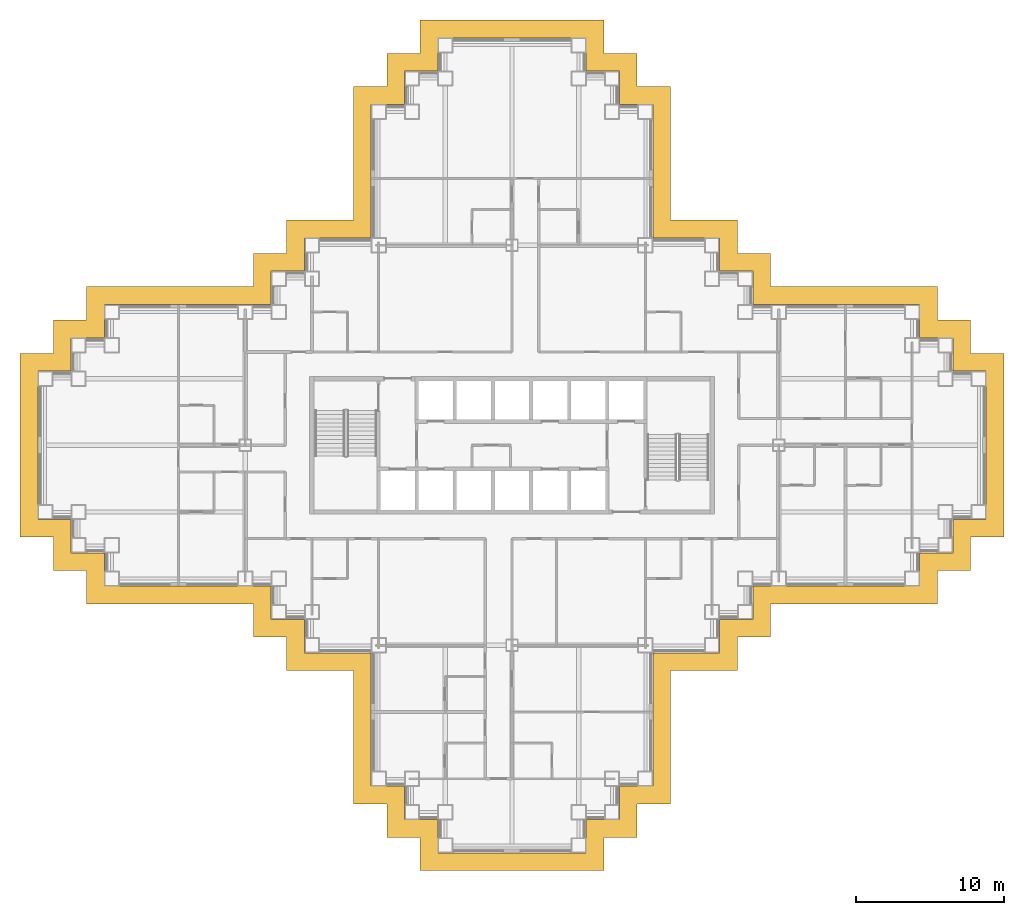
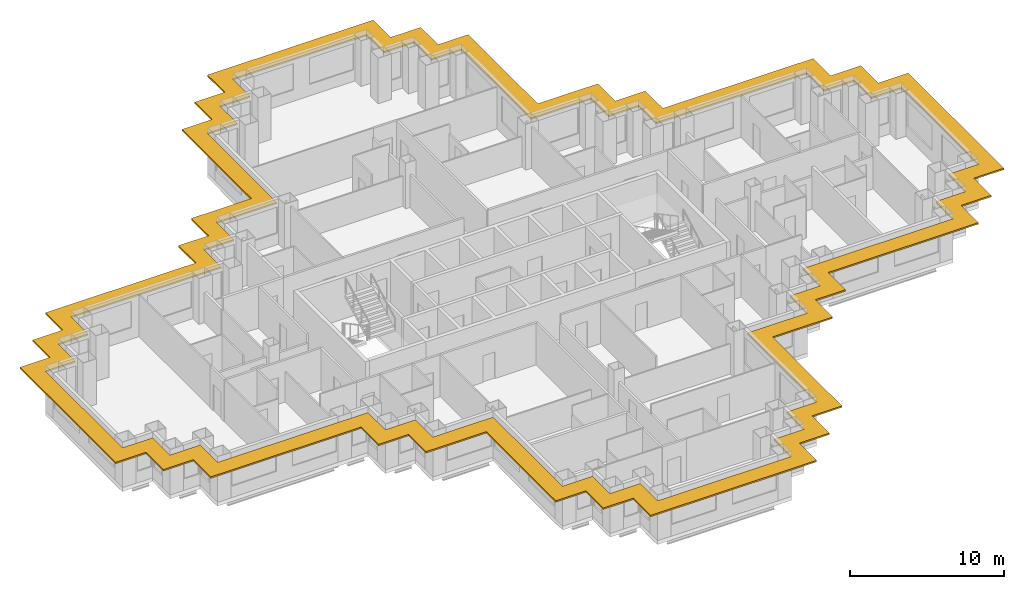
# One storey, part 13 of 14: 1 shading device.
"""IFC4 building model written with IfcOpenShell, lengths in metres."""

from ifc_helpers import new_model, si_unit, direction, frame, origin, place, context, subcontext, project, spatial, polyline, outline, extrude, material, layer, layer_set, type_object, element, save


model = new_model("IFC4")

# Units and contexts
model_context = context("Model", 3, precision=1e-05, world=origin(), true_north=direction((0.0, 1.0)))
body_context = subcontext(model_context, "Body", "Model", "MODEL_VIEW")
ifc_project = project(units=[si_unit("LENGTHUNIT", "METRE"), si_unit("AREAUNIT", "SQUARE_METRE"), si_unit("VOLUMEUNIT", "CUBIC_METRE"), si_unit("PLANEANGLEUNIT", "RADIAN"), si_unit("MASSUNIT", "GRAM", prefix="KILO")], contexts=[model_context])

# Site, building, storey
site_placement = place(None, origin())
site = spatial("IfcSite", under=ifc_project, at=site_placement, CompositionType="ELEMENT")
building_placement = place(site_placement, origin())
building = spatial("IfcBuilding", under=site, at=building_placement, Name="Caravel Reach Hotel and Residences", CompositionType="ELEMENT")
storey_placement = place(building_placement, frame((0.0, 0.0, 56.39990234375)))
storey = spatial("IfcBuildingStorey", under=building, at=storey_placement, Name="L12", CompositionType="ELEMENT", Elevation=56.39990234375)

# Shading device
ifc_material = material(Name="Black powder-coated aluminium", Category="aluminium")
ifc_layer = layer(ifc_material, 0.1201171875)
ifc_layer_set = layer_set([ifc_layer], Name="SS1 Sunshade band 1200")
shading_device_type = type_object("IfcShadingDeviceType", Name="SS1 Sunshade band 1200", PredefinedType="USERDEFINED", material=ifc_layer_set)
shading_device_placement = place(storey_placement, frame((0.0, 0.0, 3.0400390625)))
element("IfcShadingDevice", 1, at=shading_device_placement, inside=storey, type_object=shading_device_type, Name="Sunshade L12 1", ObjectType="SUNSHADE", PredefinedType="USERDEFINED", context=body_context, shape_type="SweptSolid", body=[
    extrude(outline(polyline([(20.800048828125, 11.800048828125), (20.800048828125, 2.800048828125), (23.050048828125, 2.800048828125), (23.050048828125, 0.550048828125), (25.300048828125, 0.550048828125), (25.300048828125, -1.699951171875), (37.699951171875, -1.699951171875), (37.699951171875, 0.550048828125), (39.949951171875, 0.550048828125), (39.949951171875, 2.800048828125), (42.199951171875, 2.800048828125), (42.199951171875, 11.800048828125), (46.699951171875, 11.800048828125), (46.699951171875, 14.050048828125), (48.949951171875, 14.050048828125), (48.949951171875, 16.300048828125), (60.199951171875, 16.300048828125), (60.199951171875, 18.550048828125), (62.449951171875, 18.550048828125), (62.449951171875, 20.800048828125), (64.699951171875, 20.800048828125), (64.699951171875, 33.199951171875), (62.449951171875, 33.199951171875), (62.449951171875, 35.449951171875), (60.199951171875, 35.449951171875), (60.199951171875, 37.699951171875), (48.949951171875, 37.699951171875), (48.949951171875, 39.949951171875), (46.699951171875, 39.949951171875), (46.699951171875, 42.199951171875), (42.199951171875, 42.199951171875), (42.199951171875, 51.199951171875), (39.949951171875, 51.199951171875), (39.949951171875, 53.449951171875), (37.699951171875, 53.449951171875), (37.699951171875, 55.699951171875), (25.300048828125, 55.699951171875), (25.300048828125, 53.449951171875), (23.050048828125, 53.449951171875), (23.050048828125, 51.199951171875), (20.800048828125, 51.199951171875), (20.800048828125, 42.199951171875), (16.300048828125, 42.199951171875), (16.300048828125, 39.949951171875), (14.050048828125, 39.949951171875), (14.050048828125, 37.699951171875), (2.800048828125, 37.699951171875), (2.800048828125, 35.449951171875), (0.550048828125, 35.449951171875), (0.550048828125, 33.199951171875), (-1.699951171875, 33.199951171875), (-1.699951171875, 20.800048828125), (0.550048828125, 20.800048828125), (0.550048828125, 18.550048828125), (2.800048828125, 18.550048828125), (2.800048828125, 16.300048828125), (14.050048828125, 16.300048828125), (14.050048828125, 14.050048828125), (16.300048828125, 14.050048828125), (16.300048828125, 11.800048828125), (20.800048828125, 11.800048828125)]), holes=[polyline([(24.25, 4.0), (22.0, 4.0), (22.0, 13.0), (17.5, 13.0), (17.5, 15.25), (15.25, 15.25), (15.25, 17.5), (4.0, 17.5), (4.0, 19.75), (1.75, 19.75), (1.75, 22.0), (-0.5, 22.0), (-0.5, 32.0), (1.75, 32.0), (1.75, 34.25), (4.0, 34.25), (4.0, 36.5), (15.25, 36.5), (15.25, 38.75), (17.5, 38.75), (17.5, 41.0), (22.0, 41.0), (22.0, 50.0), (24.25, 50.0), (24.25, 52.25), (26.5, 52.25), (26.5, 54.5), (36.5, 54.5), (36.5, 52.25), (38.75, 52.25), (38.75, 50.0), (41.0, 50.0), (41.0, 41.0), (45.5, 41.0), (45.5, 38.75), (47.75, 38.75), (47.75, 36.5), (59.0, 36.5), (59.0, 34.25), (61.25, 34.25), (61.25, 32.0), (63.5, 32.0), (63.5, 22.0), (61.25, 22.0), (61.25, 19.75), (59.0, 19.75), (59.0, 17.5), (47.75, 17.5), (47.75, 15.25), (45.5, 15.25), (45.5, 13.0), (41.0, 13.0), (41.0, 4.0), (38.75, 4.0), (38.75, 1.75), (36.5, 1.75), (36.5, -0.5), (26.5, -0.5), (26.5, 1.75), (24.25, 1.75), (24.25, 4.0)])]), origin(), (0.0, 0.0, 1.0), 0.1201171875),
])

save(model, "model.ifc")
